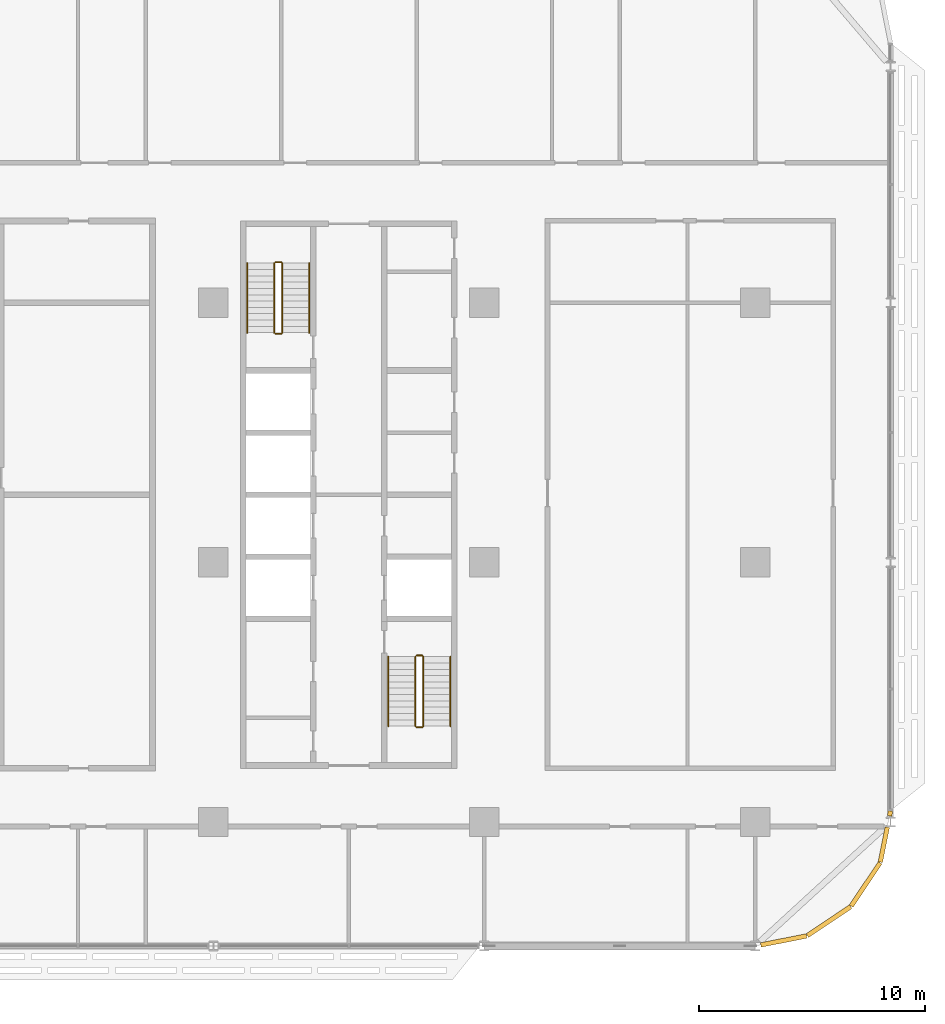
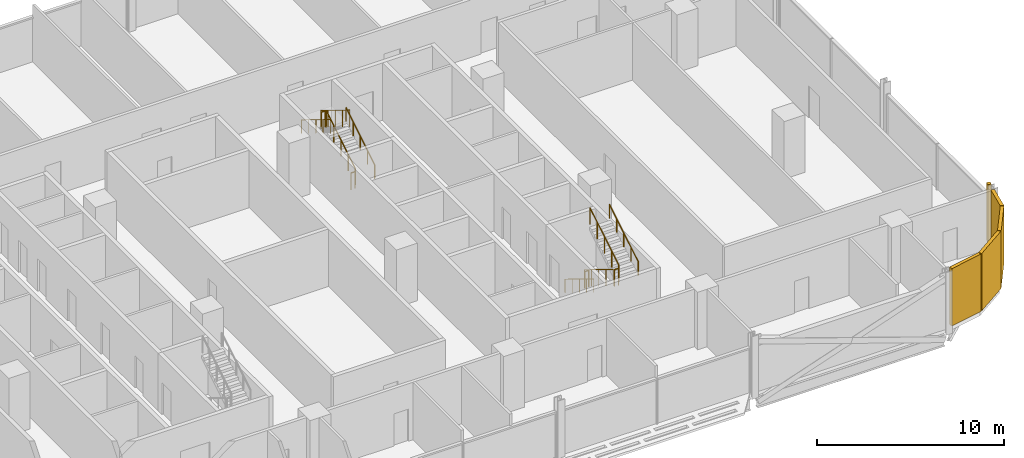
# One storey, part 28 of 29: 12 railings, 5 coverings.
"""IFC4 building model written with IfcOpenShell, lengths in metres."""

from ifc_helpers import new_model, si_unit, direction, frame, origin, origin_2d, place, context, subcontext, project, spatial, rectangle, circle, extrude, material, layer, layer_set, type_object, element, save


model = new_model("IFC4")

# Units and contexts
model_context = context("Model", 3, precision=1e-05, world=origin(), true_north=direction((0.0, 1.0)))
body_context = subcontext(model_context, "Body", "Model", "MODEL_VIEW")
ifc_project = project(units=[si_unit("LENGTHUNIT", "METRE"), si_unit("AREAUNIT", "SQUARE_METRE"), si_unit("VOLUMEUNIT", "CUBIC_METRE"), si_unit("PLANEANGLEUNIT", "RADIAN"), si_unit("MASSUNIT", "GRAM", prefix="KILO")], contexts=[model_context])

# Site, building, storey
site_placement = place(None, origin())
site = spatial("IfcSite", under=ifc_project, at=site_placement, CompositionType="ELEMENT")
building_placement = place(site_placement, origin())
building = spatial("IfcBuilding", under=site, at=building_placement, Name="Mahtab Terrace Research Tower", CompositionType="ELEMENT")
storey_placement = place(building_placement, frame((0.0, 0.0, 142.5)))
storey = spatial("IfcBuildingStorey", under=building, at=storey_placement, Name="L33", CompositionType="ELEMENT", Elevation=142.5)

# Coverings
ifc_material_1 = material(Name="Black aluminium cladding panel", Category="aluminium")
ifc_layer = layer(ifc_material_1, 0.199951171875)
ifc_layer_set = layer_set([ifc_layer], Name="Black metal corner cladding 200")
covering_type = type_object("IfcCoveringType", Name="Black metal corner cladding 200", PredefinedType="CLADDING", material=ifc_layer_set)
covering_1_placement = place(storey_placement, frame((43.263916015625, -16.74853515625, 0.0), z_axis=(0.0, 0.0, 1.0), x_axis=(0.980760981187, 0.195212442692, 0.0)))
element("IfcCovering", 1, at=covering_1_placement, inside=storey, type_object=covering_type, Name="Corner cladding L33 31", PredefinedType="CLADDING", context=body_context, shape_type="SweptSolid", body=[
    extrude(rectangle(XDim=2.064697265625, YDim=0.199951171875, at=origin_2d()), origin(), (0.0, 0.0, 1.0), 3.760009765625),
])
for number, where, z_axis, x_axis, name in (
    (2, (45.26953125, -15.89306640625, 0.0), (0.0, 0.0, 1.0), (0.831655794326, 0.555291490808, 0.0), "Corner cladding L33 32"),
    (3, (46.89306640625, -14.26953125, 0.0), (0.0, 0.0, 1.0), (0.555291490808, 0.831655794326, 0.0), "Corner cladding L33 33"),
):
    element("IfcCovering", number, at=place(storey_placement, frame(where, z_axis=z_axis, x_axis=x_axis)), inside=storey, type_object=covering_type, Name=name, PredefinedType="CLADDING", context=body_context, shape_type="SweptSolid", body=[
        extrude(rectangle(XDim=2.30126953125, YDim=0.199951171875, at=origin_2d()), origin(), (0.0, 0.0, 1.0), 3.760009765625),
    ])
covering_2_placement = place(storey_placement, frame((47.700439453125, -12.50439453125, 0.0), z_axis=(0.0, 0.0, 1.0), x_axis=(0.195212442692, 0.980760981187, 0.0)))
element("IfcCovering", 4, at=covering_2_placement, inside=storey, type_object=covering_type, Name="Corner cladding L33 34", PredefinedType="CLADDING", context=body_context, shape_type="SweptSolid", body=[
    extrude(rectangle(XDim=1.574462890625, YDim=0.199951171875, at=origin_2d()), origin(), (0.0, 0.0, 1.0), 3.760009765625),
])
covering_3_placement = place(storey_placement, frame((47.97607421875, -11.11962890625, 0.0), z_axis=(0.0, 0.0, 1.0), x_axis=(0.195212442692, 0.980760981187, 0.0)))
element("IfcCovering", 5, at=covering_3_placement, inside=storey, type_object=covering_type, Name="Corner cladding L33 35", PredefinedType="CLADDING", context=body_context, shape_type="SweptSolid", body=[
    extrude(rectangle(XDim=0.22412109375, YDim=0.199951171875, at=origin_2d()), origin(), (0.0, 0.0, 1.0), 3.760009765625),
])

# Railings
ifc_material_2 = material(Name="Stainless steel AISI 304", Category="steel")
railing_type_1 = type_object("IfcRailingType", Name="Stair guard 1100", PredefinedType="GUARDRAIL", material=ifc_material_2)
railing_1_placement = place(storey_placement, frame((21.050048828125, 10.175048828125, 0.1708984375)))
element("IfcRailing", 6, at=railing_1_placement, inside=storey, type_object=railing_type_1, Name="L33 ST3 stair guard 1", PredefinedType="GUARDRAIL", context=body_context, shape_type="SweptSolid", body=[
    extrude(circle(Radius=0.02392578125, at=origin_2d()), frame((0.0, 0.0, 1.076171875), z_axis=(0.0, 0.853647949592, 0.520850437417), x_axis=(-1.0, 0.0, 0.0)), (0.0, 0.0, 1.0), 3.60791015625),
    extrude(circle(Radius=0.02099609375, at=origin_2d()), origin(), (0.0, 0.0, 1.0), 1.052001953125),
    extrude(circle(Radius=0.02099609375, at=origin_2d()), frame((0.0, 0.77001953125, 0.4697265625)), (0.0, 0.0, 1.0), 1.052001953125),
    extrude(circle(Radius=0.02099609375, at=origin_2d()), frame((0.0, 1.5400390625, 0.939453125)), (0.0, 0.0, 1.0), 1.052001953125),
    extrude(circle(Radius=0.02099609375, at=origin_2d()), frame((0.0, 2.309814453125, 1.409423828125)), (0.0, 0.0, 1.0), 1.052001953125),
    extrude(circle(Radius=0.02099609375, at=origin_2d()), frame((0.0, 3.079833984375, 1.879150390625)), (0.0, 0.0, 1.0), 1.052001953125),
])
railing_2_placement = place(storey_placement, frame((21.0, 13.304931640625, 2.050048828125)))
element("IfcRailing", 7, at=railing_2_placement, inside=storey, type_object=railing_type_1, Name="L33 ST3 stair guard 2", PredefinedType="GUARDRAIL", context=body_context, shape_type="SweptSolid", body=[
    extrude(circle(Radius=0.02392578125, at=origin_2d()), frame((0.0, 0.0, 1.076171875), z_axis=(-1.0, 0.0, 0.0), x_axis=(0.0, -1.0, 0.0)), (0.0, 0.0, 1.0), 0.25),
    extrude(circle(Radius=0.02099609375, at=origin_2d()), origin(), (0.0, 0.0, 1.0), 1.052001953125),
    extrude(circle(Radius=0.02099609375, at=origin_2d()), frame((-0.25, 0.0, 0.0)), (0.0, 0.0, 1.0), 1.052001953125),
])
railing_3_placement = place(storey_placement, frame((20.699951171875, 13.2548828125, 2.220947265625)))
element("IfcRailing", 8, at=railing_3_placement, inside=storey, type_object=railing_type_1, Name="L33 ST3 stair guard 3", PredefinedType="GUARDRAIL", context=body_context, shape_type="SweptSolid", body=[
    extrude(circle(Radius=0.02392578125, at=origin_2d()), frame((0.0, 0.0, 1.076171875), z_axis=(0.0, -0.853647949592, 0.520850437417), x_axis=(1.0, 0.0, 0.0)), (0.0, 0.0, 1.0), 3.60791015625),
    extrude(circle(Radius=0.02099609375, at=origin_2d()), origin(), (0.0, 0.0, 1.0), 1.052001953125),
    extrude(circle(Radius=0.02099609375, at=origin_2d()), frame((0.0, -0.77001953125, 0.4697265625)), (0.0, 0.0, 1.0), 1.052001953125),
    extrude(circle(Radius=0.02099609375, at=origin_2d()), frame((0.0, -1.5400390625, 0.939453125)), (0.0, 0.0, 1.0), 1.052001953125),
    extrude(circle(Radius=0.02099609375, at=origin_2d()), frame((0.0, -2.309814453125, 1.409423828125)), (0.0, 0.0, 1.0), 1.052001953125),
    extrude(circle(Radius=0.02099609375, at=origin_2d()), frame((0.0, -3.079833984375, 1.879150390625)), (0.0, 0.0, 1.0), 1.052001953125),
])
railing_4_placement = place(storey_placement, frame((21.0, 10.125, 0.0)))
element("IfcRailing", 9, at=railing_4_placement, inside=storey, type_object=railing_type_1, Name="L33 ST3 stair guard 4", PredefinedType="GUARDRAIL", context=body_context, shape_type="SweptSolid", body=[
    extrude(circle(Radius=0.02392578125, at=origin_2d()), frame((0.0, 0.0, 1.076171875), z_axis=(-1.0, 0.0, 0.0), x_axis=(0.0, -1.0, 0.0)), (0.0, 0.0, 1.0), 0.25),
    extrude(circle(Radius=0.02099609375, at=origin_2d()), origin(), (0.0, 0.0, 1.0), 1.052001953125),
    extrude(circle(Radius=0.02099609375, at=origin_2d()), frame((-0.25, 0.0, 0.0)), (0.0, 0.0, 1.0), 1.052001953125),
])
railing_5_placement = place(storey_placement, frame((26.949951171875, -4.175048828125, 0.1708984375)))
element("IfcRailing", 10, at=railing_5_placement, inside=storey, type_object=railing_type_1, Name="L33 ST4 stair guard 1", PredefinedType="GUARDRAIL", context=body_context, shape_type="SweptSolid", body=[
    extrude(circle(Radius=0.02392578125, at=origin_2d()), frame((0.0, 0.0, 1.076171875), z_axis=(0.0, -0.853647949592, 0.520850437417), x_axis=(1.0, 0.0, 0.0)), (0.0, 0.0, 1.0), 3.60791015625),
    extrude(circle(Radius=0.02099609375, at=origin_2d()), origin(), (0.0, 0.0, 1.0), 1.052001953125),
    extrude(circle(Radius=0.02099609375, at=origin_2d()), frame((0.0, -0.77001953125, 0.4697265625)), (0.0, 0.0, 1.0), 1.052001953125),
    extrude(circle(Radius=0.02099609375, at=origin_2d()), frame((0.0, -1.5400390625, 0.939453125)), (0.0, 0.0, 1.0), 1.052001953125),
    extrude(circle(Radius=0.02099609375, at=origin_2d()), frame((0.0, -2.309814453125, 1.409423828125)), (0.0, 0.0, 1.0), 1.052001953125),
    extrude(circle(Radius=0.02099609375, at=origin_2d()), frame((0.0, -3.079833984375, 1.879150390625)), (0.0, 0.0, 1.0), 1.052001953125),
])
railing_6_placement = place(storey_placement, frame((27.0, -7.304931640625, 2.050048828125)))
element("IfcRailing", 11, at=railing_6_placement, inside=storey, type_object=railing_type_1, Name="L33 ST4 stair guard 2", PredefinedType="GUARDRAIL", context=body_context, shape_type="SweptSolid", body=[
    extrude(circle(Radius=0.02392578125, at=origin_2d()), frame((0.0, 0.0, 1.076171875), z_axis=(1.0, 0.0, 0.0), x_axis=(0.0, 1.0, 0.0)), (0.0, 0.0, 1.0), 0.25),
    extrude(circle(Radius=0.02099609375, at=origin_2d()), origin(), (0.0, 0.0, 1.0), 1.052001953125),
    extrude(circle(Radius=0.02099609375, at=origin_2d()), frame((0.25, 0.0, 0.0)), (0.0, 0.0, 1.0), 1.052001953125),
])
railing_7_placement = place(storey_placement, frame((27.300048828125, -7.2548828125, 2.220947265625)))
element("IfcRailing", 12, at=railing_7_placement, inside=storey, type_object=railing_type_1, Name="L33 ST4 stair guard 3", PredefinedType="GUARDRAIL", context=body_context, shape_type="SweptSolid", body=[
    extrude(circle(Radius=0.02392578125, at=origin_2d()), frame((0.0, 0.0, 1.076171875), z_axis=(0.0, 0.853647949592, 0.520850437417), x_axis=(-1.0, 0.0, 0.0)), (0.0, 0.0, 1.0), 3.60791015625),
    extrude(circle(Radius=0.02099609375, at=origin_2d()), origin(), (0.0, 0.0, 1.0), 1.052001953125),
    extrude(circle(Radius=0.02099609375, at=origin_2d()), frame((0.0, 0.77001953125, 0.4697265625)), (0.0, 0.0, 1.0), 1.052001953125),
    extrude(circle(Radius=0.02099609375, at=origin_2d()), frame((0.0, 1.5400390625, 0.939453125)), (0.0, 0.0, 1.0), 1.052001953125),
    extrude(circle(Radius=0.02099609375, at=origin_2d()), frame((0.0, 2.309814453125, 1.409423828125)), (0.0, 0.0, 1.0), 1.052001953125),
    extrude(circle(Radius=0.02099609375, at=origin_2d()), frame((0.0, 3.079833984375, 1.879150390625)), (0.0, 0.0, 1.0), 1.052001953125),
])
railing_8_placement = place(storey_placement, frame((27.0, -4.125, 0.0)))
element("IfcRailing", 13, at=railing_8_placement, inside=storey, type_object=railing_type_1, Name="L33 ST4 stair guard 4", PredefinedType="GUARDRAIL", context=body_context, shape_type="SweptSolid", body=[
    extrude(circle(Radius=0.02392578125, at=origin_2d()), frame((0.0, 0.0, 1.076171875), z_axis=(1.0, 0.0, 0.0), x_axis=(0.0, 1.0, 0.0)), (0.0, 0.0, 1.0), 0.25),
    extrude(circle(Radius=0.02099609375, at=origin_2d()), origin(), (0.0, 0.0, 1.0), 1.052001953125),
    extrude(circle(Radius=0.02099609375, at=origin_2d()), frame((0.25, 0.0, 0.0)), (0.0, 0.0, 1.0), 1.052001953125),
])
railing_type_2 = type_object("IfcRailingType", Name="Stair handrail 900", PredefinedType="HANDRAIL", material=ifc_material_2)
railing_9_placement = place(storey_placement, frame((22.25, 10.175048828125, 0.1708984375)))
element("IfcRailing", 14, at=railing_9_placement, inside=storey, type_object=railing_type_2, Name="L33 ST3 stair handrail 1", PredefinedType="HANDRAIL", context=body_context, shape_type="SweptSolid", body=[
    extrude(circle(Radius=0.02392578125, at=origin_2d()), frame((0.0, 0.0, 0.8759765625), z_axis=(0.0, 0.853647949592, 0.520850437417), x_axis=(-1.0, 0.0, 0.0)), (0.0, 0.0, 1.0), 3.60791015625),
    extrude(circle(Radius=0.02099609375, at=origin_2d()), origin(), (0.0, 0.0, 1.0), 0.851806640625),
    extrude(circle(Radius=0.02099609375, at=origin_2d()), frame((0.0, 0.77001953125, 0.4697265625)), (0.0, 0.0, 1.0), 0.851806640625),
    extrude(circle(Radius=0.02099609375, at=origin_2d()), frame((0.0, 1.5400390625, 0.939453125)), (0.0, 0.0, 1.0), 0.851806640625),
    extrude(circle(Radius=0.02099609375, at=origin_2d()), frame((0.0, 2.309814453125, 1.409423828125)), (0.0, 0.0, 1.0), 0.851806640625),
    extrude(circle(Radius=0.02099609375, at=origin_2d()), frame((0.0, 3.079833984375, 1.879150390625)), (0.0, 0.0, 1.0), 0.851806640625),
])
for number, where, name in (
    (15, (19.5, 13.2548828125, 2.220947265625), "L33 ST3 stair handrail 2"),
    (16, (25.75, -4.175048828125, 0.1708984375), "L33 ST4 stair handrail 1"),
):
    element("IfcRailing", number, at=place(storey_placement, frame(where)), inside=storey, type_object=railing_type_2, Name=name, PredefinedType="HANDRAIL", context=body_context, shape_type="SweptSolid", body=[
        extrude(circle(Radius=0.02392578125, at=origin_2d()), frame((0.0, 0.0, 0.8759765625), z_axis=(0.0, -0.853647949592, 0.520850437417), x_axis=(1.0, 0.0, 0.0)), (0.0, 0.0, 1.0), 3.60791015625),
        extrude(circle(Radius=0.02099609375, at=origin_2d()), origin(), (0.0, 0.0, 1.0), 0.851806640625),
        extrude(circle(Radius=0.02099609375, at=origin_2d()), frame((0.0, -0.77001953125, 0.4697265625)), (0.0, 0.0, 1.0), 0.851806640625),
        extrude(circle(Radius=0.02099609375, at=origin_2d()), frame((0.0, -1.5400390625, 0.939453125)), (0.0, 0.0, 1.0), 0.851806640625),
        extrude(circle(Radius=0.02099609375, at=origin_2d()), frame((0.0, -2.309814453125, 1.409423828125)), (0.0, 0.0, 1.0), 0.851806640625),
        extrude(circle(Radius=0.02099609375, at=origin_2d()), frame((0.0, -3.079833984375, 1.879150390625)), (0.0, 0.0, 1.0), 0.851806640625),
    ])
railing_10_placement = place(storey_placement, frame((28.5, -7.2548828125, 2.220947265625)))
element("IfcRailing", 17, at=railing_10_placement, inside=storey, type_object=railing_type_2, Name="L33 ST4 stair handrail 2", PredefinedType="HANDRAIL", context=body_context, shape_type="SweptSolid", body=[
    extrude(circle(Radius=0.02392578125, at=origin_2d()), frame((0.0, 0.0, 0.8759765625), z_axis=(0.0, 0.853647949592, 0.520850437417), x_axis=(-1.0, 0.0, 0.0)), (0.0, 0.0, 1.0), 3.60791015625),
    extrude(circle(Radius=0.02099609375, at=origin_2d()), origin(), (0.0, 0.0, 1.0), 0.851806640625),
    extrude(circle(Radius=0.02099609375, at=origin_2d()), frame((0.0, 0.77001953125, 0.4697265625)), (0.0, 0.0, 1.0), 0.851806640625),
    extrude(circle(Radius=0.02099609375, at=origin_2d()), frame((0.0, 1.5400390625, 0.939453125)), (0.0, 0.0, 1.0), 0.851806640625),
    extrude(circle(Radius=0.02099609375, at=origin_2d()), frame((0.0, 2.309814453125, 1.409423828125)), (0.0, 0.0, 1.0), 0.851806640625),
    extrude(circle(Radius=0.02099609375, at=origin_2d()), frame((0.0, 3.079833984375, 1.879150390625)), (0.0, 0.0, 1.0), 0.851806640625),
])

save(model, "model.ifc")
